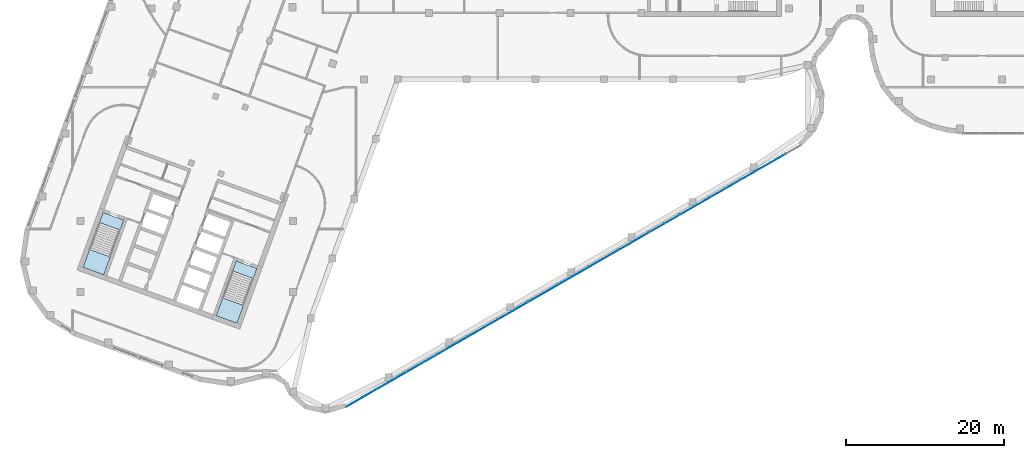
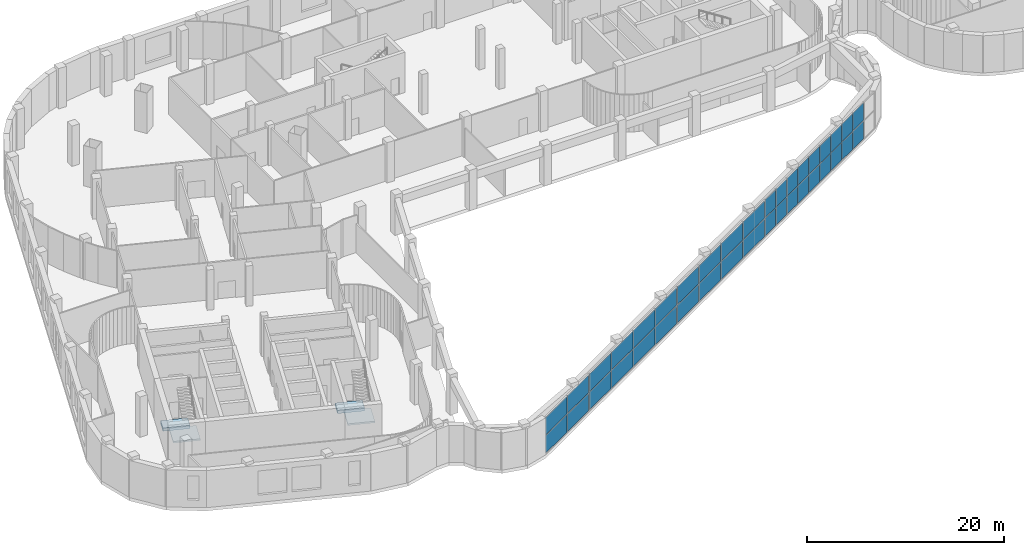
# One storey, part 7 of 25: 38 plates, 4 slabs, 7 elements without a shape of their own.
"""IFC4 building model written with IfcOpenShell, lengths in metres."""

import ifcopenshell
import ifcopenshell.guid

model = None  # the IFC model being written
_history = None  # IfcOwnerHistory: only IFC2X3 demands one
_inside = {}  # id of a spatial element -> (the spatial element, [elements in it])
_under = {}  # id of a project, library or spatial element -> (it, [spatial elements below it])
_declared = {}  # id of a project -> (the project, [libraries it declares])
_typed = {}  # id of a type object -> (the type object, [elements of that type])
_made_of = {}  # id of a material, layer set ... -> (it, [elements and type objects made of it])


def new_model(schema):
    """Start an empty IFC model of exactly this schema.

    Asked for "IFC4X3", IfcOpenShell would pick the latest addendum, in which some entities
    have other attributes; the version numbers below select the first issue.
    IFC2X3 requires an IfcOwnerHistory on every rooted entity: one is made here for all.
    """
    global model, _history
    if schema == "IFC4X3":
        model = ifcopenshell.file(schema_version=(4, 3, 0, 0))
    else:
        model = ifcopenshell.file(schema=schema)
    _inside.clear()
    _under.clear()
    _declared.clear()
    _typed.clear()
    _made_of.clear()
    _history = None
    if model.schema == "IFC2X3":
        org = make("IfcOrganization", Name="unknown")
        user = make(
            "IfcPersonAndOrganization",
            ThePerson=make("IfcPerson", FamilyName="unknown"),
            TheOrganization=org,
        )
        app = make(
            "IfcApplication",
            ApplicationDeveloper=org,
            Version="unknown",
            ApplicationFullName="unknown",
            ApplicationIdentifier="unknown",
        )
        _history = make(
            "IfcOwnerHistory",
            OwningUser=user,
            OwningApplication=app,
            ChangeAction="ADDED",
            CreationDate=0,
        )
    return model


def make(cls, **values):
    """One entity of the class cls with the attributes given. An attribute that is None is left unset."""
    return model.create_entity(
        cls, **{name: value for name, value in values.items() if value is not None}
    )


def rooted(cls, **values):
    """An entity with a GlobalId (a new one), such as an element, a storey or a relation."""
    return make(cls, GlobalId=ifcopenshell.guid.new(), OwnerHistory=_history, **values)


def si_unit(unit_type, name, prefix=None):
    """IfcSIUnit, for example si_unit("LENGTHUNIT", "METRE", prefix="MILLI")."""
    return make("IfcSIUnit", UnitType=unit_type, Prefix=prefix, Name=name)


def assignment(units):
    """IfcUnitAssignment: the units of a project."""
    return None if units is None else make("IfcUnitAssignment", Units=units)


def point(xyz):
    """IfcCartesianPoint."""
    return None if xyz is None else make("IfcCartesianPoint", Coordinates=xyz)


def direction(xyz):
    """IfcDirection."""
    return None if xyz is None else make("IfcDirection", DirectionRatios=xyz)


def frame(location, z_axis=None, x_axis=None):
    """IfcAxis2Placement3D, a coordinate frame: its origin and axes. An axis left out is left unset."""
    return make(
        "IfcAxis2Placement3D",
        Location=point(location),
        Axis=direction(z_axis),
        RefDirection=direction(x_axis),
    )


def frame_2d(location, x_axis=None):
    """IfcAxis2Placement2D, a coordinate frame in the plane: its origin and x axis."""
    return make(
        "IfcAxis2Placement2D", Location=point(location), RefDirection=direction(x_axis)
    )


def origin():
    """The frame at (0, 0, 0) with its axes left unset."""
    return frame((0.0, 0.0, 0.0))


def origin_2d():
    """The frame at (0, 0) in the plane with its x axis left unset."""
    return frame_2d((0.0, 0.0))


def place(relative_to, where):
    """IfcLocalPlacement: puts the frame where relative to a parent placement (None: the world)."""
    return make(
        "IfcLocalPlacement", PlacementRelTo=relative_to, RelativePlacement=where
    )


def context(
    kind, dimensions, precision=None, world=None, true_north=None, identifier=None
):
    """IfcGeometricRepresentationContext, for example the 3D "Model" context."""
    return make(
        "IfcGeometricRepresentationContext",
        ContextIdentifier=identifier,
        ContextType=kind,
        CoordinateSpaceDimension=dimensions,
        Precision=precision,
        WorldCoordinateSystem=world,
        TrueNorth=true_north,
    )


def subcontext(parent, identifier, kind, view, scale=None):
    """IfcGeometricRepresentationSubContext, for example "Body" below "Model"."""
    return make(
        "IfcGeometricRepresentationSubContext",
        ContextIdentifier=identifier,
        ContextType=kind,
        ParentContext=parent,
        TargetScale=scale,
        TargetView=view,
    )


def project(units=None, contexts=None):
    """IfcProject with its units and contexts."""
    return rooted(
        "IfcProject",
        Name="project",
        RepresentationContexts=contexts,
        UnitsInContext=assignment(units),
    )


def spatial(cls, under=None, at=None, **own):
    """A site, building, storey or space (cls), placed at a placement, below another one or the project."""
    s = rooted(cls, ObjectPlacement=at, **own)
    if under is not None:
        _under.setdefault(under.id(), (under, []))[1].append(s)
    return s


def polyline(points):
    """IfcPolyline through the points."""
    return make("IfcPolyline", Points=[point(p) for p in points])


def profile(cls, at=None, kind="AREA", **sizes):
    """A parametric profile (cls). Its sizes go by their IFC names, for example OverallWidth=200.0."""
    return make(cls, ProfileType=kind, Position=at, **sizes)


def rectangle(**sizes):
    """IfcRectangleProfileDef."""
    return profile("IfcRectangleProfileDef", **sizes)


def outline(outer, holes=None, kind="AREA"):
    """IfcArbitraryClosedProfileDef: a profile drawn as a closed curve; with holes, ...WithVoids."""
    if holes is None:
        return make("IfcArbitraryClosedProfileDef", ProfileType=kind, OuterCurve=outer)
    return make(
        "IfcArbitraryProfileDefWithVoids",
        ProfileType=kind,
        OuterCurve=outer,
        InnerCurves=holes,
    )


def extrude(swept, where, along, depth):
    """IfcExtrudedAreaSolid: the profile swept, set in the frame where, extruded along a direction by depth."""
    return make(
        "IfcExtrudedAreaSolid",
        SweptArea=swept,
        Position=where,
        ExtrudedDirection=direction(along),
        Depth=depth,
    )


def shape(context_of_items, identifier, shape_type, items):
    """IfcShapeRepresentation: the items that make up one representation, for example the "Body"."""
    return make(
        "IfcShapeRepresentation",
        ContextOfItems=context_of_items,
        RepresentationIdentifier=identifier,
        RepresentationType=shape_type,
        Items=items,
    )


def material(Name=None, Category=None):
    """IfcMaterial."""
    return make("IfcMaterial", Name=Name, Category=Category)


def layer(
    of_material, thickness, ventilated=None, Name=None, Category=None, Priority=None
):
    """IfcMaterialLayer: one layer of a wall or slab, of a material (None: an air gap)."""
    return make(
        "IfcMaterialLayer",
        Material=of_material,
        LayerThickness=thickness,
        IsVentilated=ventilated,
        Name=Name,
        Category=Category,
        Priority=Priority,
    )


def layer_set(layers, Name=None):
    """IfcMaterialLayerSet."""
    return make("IfcMaterialLayerSet", MaterialLayers=layers, LayerSetName=Name)


def made_of(thing, what):
    """Note that an element or type object is made of a material, layer set ...; save() writes the relation."""
    if what is not None:
        _made_of.setdefault(what.id(), (what, []))[1].append(thing)
    return thing


def type_object(cls, material=None, **own):
    """A type object (cls), such as IfcWallType, which elements share."""
    return made_of(rooted(cls, **own), material)


def element(
    cls,
    number,
    at=None,
    inside=None,
    cuts=None,
    type_object=None,
    material=None,
    context=None,
    identifier="Body",
    shape_type=None,
    held_by="IfcProductDefinitionShape",
    body=None,
    shapes=None,
    **own,
):
    """One element of the class cls, such as IfcWall. Its Tag is "e" and its number.

    at: its placement. inside: the storey or other place that contains it. cuts: it is an
    opening in that element (IfcRelVoidsElement). A single representation is given by context,
    identifier, shape_type and body (its items); several are given by shapes. held_by: the class
    of the entity that holds the representations. save() writes the other relations.
    """
    e = rooted(cls, Tag="e%d" % number, ObjectPlacement=at, **own)
    if body is not None:
        shapes = [shape(context, identifier, shape_type, body)]
    if shapes is not None:
        e.Representation = make(held_by, Representations=shapes)
    if inside is not None:
        _inside.setdefault(inside.id(), (inside, []))[1].append(e)
    if cuts is not None:
        rooted(
            "IfcRelVoidsElement", RelatingBuildingElement=cuts, RelatedOpeningElement=e
        )
    if type_object is not None:
        _typed.setdefault(type_object.id(), (type_object, []))[1].append(e)
    return made_of(e, material)


def aggregate(whole, parts):
    """IfcRelAggregates: a whole, such as a stair, and the parts it consists of."""
    return rooted("IfcRelAggregates", RelatingObject=whole, RelatedObjects=parts)


def save(model, path):
    """Write the relations noted so far, then the file.

    IfcRelAggregates (storeys below a building ...), IfcRelContainedInSpatialStructure (elements
    in a storey), IfcRelDefinesByType, IfcRelAssociatesMaterial and IfcRelDeclares: one each for
    every whole, place, type object, material and project.
    """
    for whole, parts in _under.values():
        aggregate(whole, parts)
    for where, things in _inside.values():
        rooted(
            "IfcRelContainedInSpatialStructure",
            RelatedElements=things,
            RelatingStructure=where,
        )
    for kind, things in _typed.values():
        rooted("IfcRelDefinesByType", RelatedObjects=things, RelatingType=kind)
    for what, things in _made_of.values():
        rooted("IfcRelAssociatesMaterial", RelatedObjects=things, RelatingMaterial=what)
    for by, libraries in _declared.values():
        rooted("IfcRelDeclares", RelatingContext=by, RelatedDefinitions=libraries)
    model.write(path)


model = new_model("IFC4")

# Units and contexts
model_context = context("Model", 3, precision=1e-05, world=origin(), true_north=direction((0.0, 1.0)))
body_context = subcontext(model_context, "Body", "Model", "MODEL_VIEW")
ifc_project = project(units=[si_unit("LENGTHUNIT", "METRE"), si_unit("AREAUNIT", "SQUARE_METRE"), si_unit("VOLUMEUNIT", "CUBIC_METRE"), si_unit("PLANEANGLEUNIT", "RADIAN"), si_unit("MASSUNIT", "GRAM", prefix="KILO")], contexts=[model_context])

# Site, building, storey
site_placement = place(None, origin())
site = spatial("IfcSite", under=ifc_project, at=site_placement, CompositionType="ELEMENT")
building_placement = place(site_placement, origin())
building = spatial("IfcBuilding", under=site, at=building_placement, Name="Skarvind Civic Tower", CompositionType="ELEMENT")
storey_placement = place(building_placement, frame((0.0, 0.0, 7.5)))
storey = spatial("IfcBuildingStorey", under=building, at=storey_placement, Name="L01", CompositionType="ELEMENT", Elevation=7.5)

# Curtain wall, plates
ifc_material_1 = material(Name="Aluminium alloy 6063 and laminated glass", Category="aluminium")
curtain_wall_type_1 = type_object("IfcCurtainWallType", Name="CW1 PUBLIC HALL GLAZING", PredefinedType="NOTDEFINED", material=ifc_material_1)
curtain_wall_1_placement = place(storey_placement, origin())
curtain_wall_1 = element("IfcCurtainWall", 1, at=curtain_wall_1_placement, inside=storey, type_object=curtain_wall_type_1, Name="PUBLIC SERVICE HALL GLAZING", PredefinedType="NOTDEFINED")
ifc_material_2 = material(Name="Laminated low-iron glass", Category="glass")
ifc_layer_1 = layer(ifc_material_2, 0.035888671875)
ifc_layer_set_1 = layer_set([ifc_layer_1], Name="CW1 GLASS PANEL 36")
plate_type_1 = type_object("IfcPlateType", Name="CW1 GLASS PANEL 36", PredefinedType="CURTAIN_PANEL", material=ifc_layer_set_1)
plate_1_placement = place(storey_placement, frame((89.30322265625, 88.466796875, 0.080078125), z_axis=(0.0, 0.0, 1.0), x_axis=(-0.866702488463, -0.498825416846, 0.0)))
plate_1 = element("IfcPlate", 2, at=plate_1_placement, type_object=plate_type_1, Name="CW1 panel 1.1", PredefinedType="CURTAIN_PANEL", context=body_context, shape_type="SweptSolid", body=[
    extrude(rectangle(XDim=4.32861328125, YDim=0.035888671875, at=origin_2d()), origin(), (0.0, 0.0, 1.0), 2.179931640625),
])
plate_2_placement = place(storey_placement, frame((89.30322265625, 88.466796875, 2.33984375), z_axis=(0.0, 0.0, 1.0), x_axis=(-0.866702488463, -0.498825416846, 0.0)))
plate_2 = element("IfcPlate", 3, at=plate_2_placement, type_object=plate_type_1, Name="CW1 panel 1.2", PredefinedType="CURTAIN_PANEL", context=body_context, shape_type="SweptSolid", body=[
    extrude(rectangle(XDim=4.32861328125, YDim=0.035888671875, at=origin_2d()), origin(), (0.0, 0.0, 1.0), 2.179931640625),
])
plate_3_placement = place(storey_placement, frame((85.46484375, 86.257568359375, 0.080078125), z_axis=(0.0, 0.0, 1.0), x_axis=(-0.866702488463, -0.498825416846, 0.0)))
plate_3 = element("IfcPlate", 4, at=plate_3_placement, type_object=plate_type_1, Name="CW1 panel 2.1", PredefinedType="CURTAIN_PANEL", context=body_context, shape_type="SweptSolid", body=[
    extrude(rectangle(XDim=4.36865234375, YDim=0.035888671875, at=origin_2d()), origin(), (0.0, 0.0, 1.0), 2.179931640625),
])
plate_4_placement = place(storey_placement, frame((85.46484375, 86.257568359375, 2.33984375), z_axis=(0.0, 0.0, 1.0), x_axis=(-0.866702488463, -0.498825416846, 0.0)))
plate_4 = element("IfcPlate", 5, at=plate_4_placement, type_object=plate_type_1, Name="CW1 panel 2.2", PredefinedType="CURTAIN_PANEL", context=body_context, shape_type="SweptSolid", body=[
    extrude(rectangle(XDim=4.36865234375, YDim=0.035888671875, at=origin_2d()), origin(), (0.0, 0.0, 1.0), 2.179931640625),
])
plate_5_placement = place(storey_placement, frame((81.609130859375, 84.03857421875, 0.080078125), z_axis=(0.0, 0.0, 1.0), x_axis=(-0.866702488463, -0.498825416846, 0.0)))
plate_5 = element("IfcPlate", 6, at=plate_5_placement, type_object=plate_type_1, Name="CW1 panel 3.1", PredefinedType="CURTAIN_PANEL", context=body_context, shape_type="SweptSolid", body=[
    extrude(rectangle(XDim=4.36865234375, YDim=0.035888671875, at=origin_2d()), origin(), (0.0, 0.0, 1.0), 2.179931640625),
])
plate_6_placement = place(storey_placement, frame((81.609130859375, 84.03857421875, 2.33984375), z_axis=(0.0, 0.0, 1.0), x_axis=(-0.866702488463, -0.498825416846, 0.0)))
plate_6 = element("IfcPlate", 7, at=plate_6_placement, type_object=plate_type_1, Name="CW1 panel 3.2", PredefinedType="CURTAIN_PANEL", context=body_context, shape_type="SweptSolid", body=[
    extrude(rectangle(XDim=4.36865234375, YDim=0.035888671875, at=origin_2d()), origin(), (0.0, 0.0, 1.0), 2.179931640625),
])
plate_7_placement = place(storey_placement, frame((77.770751953125, 81.829345703125, 0.080078125), z_axis=(0.0, 0.0, 1.0), x_axis=(-0.866702488463, -0.498825416846, 0.0)))
plate_7 = element("IfcPlate", 8, at=plate_7_placement, type_object=plate_type_1, Name="CW1 panel 4.1", PredefinedType="CURTAIN_PANEL", context=body_context, shape_type="SweptSolid", body=[
    extrude(rectangle(XDim=4.32861328125, YDim=0.035888671875, at=origin_2d()), origin(), (0.0, 0.0, 1.0), 2.179931640625),
])
plate_8_placement = place(storey_placement, frame((77.770751953125, 81.829345703125, 2.33984375), z_axis=(0.0, 0.0, 1.0), x_axis=(-0.866702488463, -0.498825416846, 0.0)))
plate_8 = element("IfcPlate", 9, at=plate_8_placement, type_object=plate_type_1, Name="CW1 panel 4.2", PredefinedType="CURTAIN_PANEL", context=body_context, shape_type="SweptSolid", body=[
    extrude(rectangle(XDim=4.32861328125, YDim=0.035888671875, at=origin_2d()), origin(), (0.0, 0.0, 1.0), 2.179931640625),
])
aggregate(curtain_wall_1, [plate_1, plate_2, plate_3, plate_4, plate_5, plate_6, plate_7, plate_8])

curtain_wall_2_placement = place(storey_placement, origin())
curtain_wall_2 = element("IfcCurtainWall", 10, at=curtain_wall_2_placement, inside=storey, type_object=curtain_wall_type_1, Name="PUBLIC SERVICE HALL GLAZING", PredefinedType="NOTDEFINED")
plate_9_placement = place(storey_placement, frame((73.88037109375, 79.59033203125, 0.080078125), z_axis=(0.0, 0.0, 1.0), x_axis=(-0.866702488463, -0.498825416846, 0.0)))
plate_9 = element("IfcPlate", 11, at=plate_9_placement, type_object=plate_type_1, Name="CW1 panel 1.1", PredefinedType="CURTAIN_PANEL", context=body_context, shape_type="SweptSolid", body=[
    extrude(rectangle(XDim=4.32861328125, YDim=0.035888671875, at=origin_2d()), origin(), (0.0, 0.0, 1.0), 2.179931640625),
])
plate_10_placement = place(storey_placement, frame((73.88037109375, 79.59033203125, 2.33984375), z_axis=(0.0, 0.0, 1.0), x_axis=(-0.866702488463, -0.498825416846, 0.0)))
plate_10 = element("IfcPlate", 12, at=plate_10_placement, type_object=plate_type_1, Name="CW1 panel 1.2", PredefinedType="CURTAIN_PANEL", context=body_context, shape_type="SweptSolid", body=[
    extrude(rectangle(XDim=4.32861328125, YDim=0.035888671875, at=origin_2d()), origin(), (0.0, 0.0, 1.0), 2.179931640625),
])
plate_11_placement = place(storey_placement, frame((70.0419921875, 77.381103515625, 0.080078125), z_axis=(0.0, 0.0, 1.0), x_axis=(-0.866702488463, -0.498825416846, 0.0)))
plate_11 = element("IfcPlate", 13, at=plate_11_placement, type_object=plate_type_1, Name="CW1 panel 2.1", PredefinedType="CURTAIN_PANEL", context=body_context, shape_type="SweptSolid", body=[
    extrude(rectangle(XDim=4.36865234375, YDim=0.035888671875, at=origin_2d()), origin(), (0.0, 0.0, 1.0), 2.179931640625),
])
plate_12_placement = place(storey_placement, frame((70.0419921875, 77.381103515625, 2.33984375), z_axis=(0.0, 0.0, 1.0), x_axis=(-0.866702488463, -0.498825416846, 0.0)))
plate_12 = element("IfcPlate", 14, at=plate_12_placement, type_object=plate_type_1, Name="CW1 panel 2.2", PredefinedType="CURTAIN_PANEL", context=body_context, shape_type="SweptSolid", body=[
    extrude(rectangle(XDim=4.36865234375, YDim=0.035888671875, at=origin_2d()), origin(), (0.0, 0.0, 1.0), 2.179931640625),
])
plate_13_placement = place(storey_placement, frame((66.186279296875, 75.162109375, 0.080078125), z_axis=(0.0, 0.0, 1.0), x_axis=(-0.866702488463, -0.498825416846, 0.0)))
plate_13 = element("IfcPlate", 15, at=plate_13_placement, type_object=plate_type_1, Name="CW1 panel 3.1", PredefinedType="CURTAIN_PANEL", context=body_context, shape_type="SweptSolid", body=[
    extrude(rectangle(XDim=4.36865234375, YDim=0.035888671875, at=origin_2d()), origin(), (0.0, 0.0, 1.0), 2.179931640625),
])
plate_14_placement = place(storey_placement, frame((66.186279296875, 75.162109375, 2.33984375), z_axis=(0.0, 0.0, 1.0), x_axis=(-0.866702488463, -0.498825416846, 0.0)))
plate_14 = element("IfcPlate", 16, at=plate_14_placement, type_object=plate_type_1, Name="CW1 panel 3.2", PredefinedType="CURTAIN_PANEL", context=body_context, shape_type="SweptSolid", body=[
    extrude(rectangle(XDim=4.36865234375, YDim=0.035888671875, at=origin_2d()), origin(), (0.0, 0.0, 1.0), 2.179931640625),
])
plate_15_placement = place(storey_placement, frame((62.347900390625, 72.952880859375, 0.080078125), z_axis=(0.0, 0.0, 1.0), x_axis=(-0.866702488463, -0.498825416846, 0.0)))
plate_15 = element("IfcPlate", 17, at=plate_15_placement, type_object=plate_type_1, Name="CW1 panel 4.1", PredefinedType="CURTAIN_PANEL", context=body_context, shape_type="SweptSolid", body=[
    extrude(rectangle(XDim=4.32861328125, YDim=0.035888671875, at=origin_2d()), origin(), (0.0, 0.0, 1.0), 2.179931640625),
])
plate_16_placement = place(storey_placement, frame((62.347900390625, 72.952880859375, 2.33984375), z_axis=(0.0, 0.0, 1.0), x_axis=(-0.866702488463, -0.498825416846, 0.0)))
plate_16 = element("IfcPlate", 18, at=plate_16_placement, type_object=plate_type_1, Name="CW1 panel 4.2", PredefinedType="CURTAIN_PANEL", context=body_context, shape_type="SweptSolid", body=[
    extrude(rectangle(XDim=4.32861328125, YDim=0.035888671875, at=origin_2d()), origin(), (0.0, 0.0, 1.0), 2.179931640625),
])
aggregate(curtain_wall_2, [plate_9, plate_10, plate_11, plate_12, plate_13, plate_14, plate_15, plate_16])

curtain_wall_3_placement = place(storey_placement, origin())
curtain_wall_3 = element("IfcCurtainWall", 19, at=curtain_wall_3_placement, inside=storey, type_object=curtain_wall_type_1, Name="PUBLIC SERVICE HALL GLAZING", PredefinedType="NOTDEFINED")
plate_17_placement = place(storey_placement, frame((58.45751953125, 70.7138671875, 0.080078125), z_axis=(0.0, 0.0, 1.0), x_axis=(-0.866700058916, -0.498829638128, 0.0)))
plate_17 = element("IfcPlate", 20, at=plate_17_placement, type_object=plate_type_1, Name="CW1 panel 1.1", PredefinedType="CURTAIN_PANEL", context=body_context, shape_type="SweptSolid", body=[
    extrude(rectangle(XDim=4.32861328125, YDim=0.035888671875, at=origin_2d()), origin(), (0.0, 0.0, 1.0), 2.179931640625),
])
plate_18_placement = place(storey_placement, frame((58.45751953125, 70.7138671875, 2.33984375), z_axis=(0.0, 0.0, 1.0), x_axis=(-0.866700058916, -0.498829638128, 0.0)))
plate_18 = element("IfcPlate", 21, at=plate_18_placement, type_object=plate_type_1, Name="CW1 panel 1.2", PredefinedType="CURTAIN_PANEL", context=body_context, shape_type="SweptSolid", body=[
    extrude(rectangle(XDim=4.32861328125, YDim=0.035888671875, at=origin_2d()), origin(), (0.0, 0.0, 1.0), 2.179931640625),
])
plate_19_placement = place(storey_placement, frame((54.636474609375, 68.5146484375, 0.080078125), z_axis=(0.0, 0.0, 1.0), x_axis=(-0.866700058916, -0.498829638128, 0.0)))
plate_19 = element("IfcPlate", 22, at=plate_19_placement, type_object=plate_type_1, Name="CW1 panel 2.1", PredefinedType="CURTAIN_PANEL", context=body_context, shape_type="SweptSolid", body=[
    extrude(rectangle(XDim=4.32861328125, YDim=0.035888671875, at=origin_2d()), origin(), (0.0, 0.0, 1.0), 2.179931640625),
])
plate_20_placement = place(storey_placement, frame((54.636474609375, 68.5146484375, 2.33984375), z_axis=(0.0, 0.0, 1.0), x_axis=(-0.866700058916, -0.498829638128, 0.0)))
plate_20 = element("IfcPlate", 23, at=plate_20_placement, type_object=plate_type_1, Name="CW1 panel 2.2", PredefinedType="CURTAIN_PANEL", context=body_context, shape_type="SweptSolid", body=[
    extrude(rectangle(XDim=4.32861328125, YDim=0.035888671875, at=origin_2d()), origin(), (0.0, 0.0, 1.0), 2.179931640625),
])
aggregate(curtain_wall_3, [plate_17, plate_18, plate_19, plate_20])

curtain_wall_type_2 = type_object("IfcCurtainWallType", Name="CW2 TOWER ENTRANCE LOBBY GLAZING", PredefinedType="NOTDEFINED", material=ifc_material_1)
curtain_wall_4_placement = place(storey_placement, origin())
curtain_wall_4 = element("IfcCurtainWall", 24, at=curtain_wall_4_placement, inside=storey, type_object=curtain_wall_type_2, Name="TOWER ENTRANCE LOBBY GLAZING", PredefinedType="NOTDEFINED")
ifc_layer_2 = layer(ifc_material_2, 0.031982421875)
ifc_layer_set_2 = layer_set([ifc_layer_2], Name="CW2 GLASS PANEL 32")
plate_type_2 = type_object("IfcPlateType", Name="CW2 GLASS PANEL 32", PredefinedType="CURTAIN_PANEL", material=ifc_layer_set_2)
plate_21_placement = place(storey_placement, frame((107.64013671875, 99.009033203125, 0.06982421875), z_axis=(0.0, 0.0, 1.0), x_axis=(-0.866702488463, -0.498825416846, 0.0)))
plate_21 = element("IfcPlate", 25, at=plate_21_placement, type_object=plate_type_2, Name="CW2 panel 2.1", PredefinedType="CURTAIN_PANEL", context=body_context, shape_type="SweptSolid", body=[
    extrude(rectangle(XDim=2.154296875, YDim=0.031982421875, at=origin_2d()), origin(), (0.0, 0.0, 1.0), 2.195068359375),
])
plate_22_placement = place(storey_placement, frame((107.64013671875, 99.009033203125, 2.3349609375), z_axis=(0.0, 0.0, 1.0), x_axis=(-0.866702488463, -0.498825416846, 0.0)))
plate_22 = element("IfcPlate", 26, at=plate_22_placement, type_object=plate_type_2, Name="CW2 panel 2.2", PredefinedType="CURTAIN_PANEL", context=body_context, shape_type="SweptSolid", body=[
    extrude(rectangle(XDim=2.154296875, YDim=0.031982421875, at=origin_2d()), origin(), (0.0, 0.0, 1.0), 2.195068359375),
])
plate_23_placement = place(storey_placement, frame((105.712158203125, 97.8994140625, 0.06982421875), z_axis=(0.0, 0.0, 1.0), x_axis=(-0.866702488463, -0.498825416846, 0.0)))
plate_23 = element("IfcPlate", 27, at=plate_23_placement, type_object=plate_type_2, Name="CW2 panel 3.1", PredefinedType="CURTAIN_PANEL", context=body_context, shape_type="SweptSolid", body=[
    extrude(rectangle(XDim=2.154296875, YDim=0.031982421875, at=origin_2d()), origin(), (0.0, 0.0, 1.0), 2.195068359375),
])
plate_24_placement = place(storey_placement, frame((105.712158203125, 97.8994140625, 2.3349609375), z_axis=(0.0, 0.0, 1.0), x_axis=(-0.866702488463, -0.498825416846, 0.0)))
plate_24 = element("IfcPlate", 28, at=plate_24_placement, type_object=plate_type_2, Name="CW2 panel 3.2", PredefinedType="CURTAIN_PANEL", context=body_context, shape_type="SweptSolid", body=[
    extrude(rectangle(XDim=2.154296875, YDim=0.031982421875, at=origin_2d()), origin(), (0.0, 0.0, 1.0), 2.195068359375),
])
plate_25_placement = place(storey_placement, frame((103.784423828125, 96.789794921875, 0.06982421875), z_axis=(0.0, 0.0, 1.0), x_axis=(-0.866702488463, -0.498825416846, 0.0)))
plate_25 = element("IfcPlate", 29, at=plate_25_placement, type_object=plate_type_2, Name="CW2 panel 4.1", PredefinedType="CURTAIN_PANEL", context=body_context, shape_type="SweptSolid", body=[
    extrude(rectangle(XDim=2.154296875, YDim=0.031982421875, at=origin_2d()), origin(), (0.0, 0.0, 1.0), 2.195068359375),
])
plate_26_placement = place(storey_placement, frame((103.784423828125, 96.789794921875, 2.3349609375), z_axis=(0.0, 0.0, 1.0), x_axis=(-0.866702488463, -0.498825416846, 0.0)))
plate_26 = element("IfcPlate", 30, at=plate_26_placement, type_object=plate_type_2, Name="CW2 panel 4.2", PredefinedType="CURTAIN_PANEL", context=body_context, shape_type="SweptSolid", body=[
    extrude(rectangle(XDim=2.154296875, YDim=0.031982421875, at=origin_2d()), origin(), (0.0, 0.0, 1.0), 2.195068359375),
])
plate_27_placement = place(storey_placement, frame((101.856689453125, 95.68017578125, 0.06982421875), z_axis=(0.0, 0.0, 1.0), x_axis=(-0.866702488463, -0.498825416846, 0.0)))
plate_27 = element("IfcPlate", 31, at=plate_27_placement, type_object=plate_type_2, Name="CW2 panel 5.1", PredefinedType="CURTAIN_PANEL", context=body_context, shape_type="SweptSolid", body=[
    extrude(rectangle(XDim=2.154296875, YDim=0.031982421875, at=origin_2d()), origin(), (0.0, 0.0, 1.0), 2.195068359375),
])
plate_28_placement = place(storey_placement, frame((101.856689453125, 95.68017578125, 2.3349609375), z_axis=(0.0, 0.0, 1.0), x_axis=(-0.866702488463, -0.498825416846, 0.0)))
plate_28 = element("IfcPlate", 32, at=plate_28_placement, type_object=plate_type_2, Name="CW2 panel 5.2", PredefinedType="CURTAIN_PANEL", context=body_context, shape_type="SweptSolid", body=[
    extrude(rectangle(XDim=2.154296875, YDim=0.031982421875, at=origin_2d()), origin(), (0.0, 0.0, 1.0), 2.195068359375),
])
plate_29_placement = place(storey_placement, frame((99.9287109375, 94.57080078125, 0.06982421875), z_axis=(0.0, 0.0, 1.0), x_axis=(-0.866702488463, -0.498825416846, 0.0)))
plate_29 = element("IfcPlate", 33, at=plate_29_placement, type_object=plate_type_2, Name="CW2 panel 6.1", PredefinedType="CURTAIN_PANEL", context=body_context, shape_type="SweptSolid", body=[
    extrude(rectangle(XDim=2.154296875, YDim=0.031982421875, at=origin_2d()), origin(), (0.0, 0.0, 1.0), 2.195068359375),
])
plate_30_placement = place(storey_placement, frame((99.9287109375, 94.57080078125, 2.3349609375), z_axis=(0.0, 0.0, 1.0), x_axis=(-0.866702488463, -0.498825416846, 0.0)))
plate_30 = element("IfcPlate", 34, at=plate_30_placement, type_object=plate_type_2, Name="CW2 panel 6.2", PredefinedType="CURTAIN_PANEL", context=body_context, shape_type="SweptSolid", body=[
    extrude(rectangle(XDim=2.154296875, YDim=0.031982421875, at=origin_2d()), origin(), (0.0, 0.0, 1.0), 2.195068359375),
])
plate_31_placement = place(storey_placement, frame((98.0009765625, 93.461181640625, 0.06982421875), z_axis=(0.0, 0.0, 1.0), x_axis=(-0.866702488463, -0.498825416846, 0.0)))
plate_31 = element("IfcPlate", 35, at=plate_31_placement, type_object=plate_type_2, Name="CW2 panel 7.1", PredefinedType="CURTAIN_PANEL", context=body_context, shape_type="SweptSolid", body=[
    extrude(rectangle(XDim=2.154296875, YDim=0.031982421875, at=origin_2d()), origin(), (0.0, 0.0, 1.0), 2.195068359375),
])
plate_32_placement = place(storey_placement, frame((98.0009765625, 93.461181640625, 2.3349609375), z_axis=(0.0, 0.0, 1.0), x_axis=(-0.866702488463, -0.498825416846, 0.0)))
plate_32 = element("IfcPlate", 36, at=plate_32_placement, type_object=plate_type_2, Name="CW2 panel 7.2", PredefinedType="CURTAIN_PANEL", context=body_context, shape_type="SweptSolid", body=[
    extrude(rectangle(XDim=2.154296875, YDim=0.031982421875, at=origin_2d()), origin(), (0.0, 0.0, 1.0), 2.195068359375),
])
plate_33_placement = place(storey_placement, frame((96.088134765625, 92.3603515625, 0.06982421875), z_axis=(0.0, 0.0, 1.0), x_axis=(-0.866702488463, -0.498825416846, 0.0)))
plate_33 = element("IfcPlate", 37, at=plate_33_placement, type_object=plate_type_2, Name="CW2 panel 8.1", PredefinedType="CURTAIN_PANEL", context=body_context, shape_type="SweptSolid", body=[
    extrude(rectangle(XDim=2.119384765625, YDim=0.031982421875, at=origin_2d()), origin(), (0.0, 0.0, 1.0), 2.195068359375),
])
plate_34_placement = place(storey_placement, frame((96.088134765625, 92.3603515625, 2.3349609375), z_axis=(0.0, 0.0, 1.0), x_axis=(-0.866702488463, -0.498825416846, 0.0)))
plate_34 = element("IfcPlate", 38, at=plate_34_placement, type_object=plate_type_2, Name="CW2 panel 8.2", PredefinedType="CURTAIN_PANEL", context=body_context, shape_type="SweptSolid", body=[
    extrude(rectangle(XDim=2.119384765625, YDim=0.031982421875, at=origin_2d()), origin(), (0.0, 0.0, 1.0), 2.195068359375),
])
aggregate(curtain_wall_4, [plate_21, plate_22, plate_23, plate_24, plate_25, plate_26, plate_27, plate_28, plate_29, plate_30, plate_31, plate_32, plate_33, plate_34])

curtain_wall_5_placement = place(storey_placement, origin())
curtain_wall_5 = element("IfcCurtainWall", 39, at=curtain_wall_5_placement, inside=storey, type_object=curtain_wall_type_2, Name="TOWER ENTRANCE LOBBY GLAZING", PredefinedType="NOTDEFINED")
plate_35_placement = place(storey_placement, frame((94.130126953125, 91.233154296875, 0.06982421875), z_axis=(0.0, 0.0, 1.0), x_axis=(-0.866695199794, -0.498838080597, 0.0)))
plate_35 = element("IfcPlate", 40, at=plate_35_placement, type_object=plate_type_2, Name="CW2 panel 1.1", PredefinedType="CURTAIN_PANEL", context=body_context, shape_type="SweptSolid", body=[
    extrude(rectangle(XDim=2.119384765625, YDim=0.031982421875, at=origin_2d()), origin(), (0.0, 0.0, 1.0), 2.195068359375),
])
plate_36_placement = place(storey_placement, frame((94.130126953125, 91.233154296875, 2.3349609375), z_axis=(0.0, 0.0, 1.0), x_axis=(-0.866695199794, -0.498838080597, 0.0)))
plate_36 = element("IfcPlate", 41, at=plate_36_placement, type_object=plate_type_2, Name="CW2 panel 1.2", PredefinedType="CURTAIN_PANEL", context=body_context, shape_type="SweptSolid", body=[
    extrude(rectangle(XDim=2.119384765625, YDim=0.031982421875, at=origin_2d()), origin(), (0.0, 0.0, 1.0), 2.195068359375),
])
plate_37_placement = place(storey_placement, frame((92.232421875, 90.14111328125, 0.06982421875), z_axis=(0.0, 0.0, 1.0), x_axis=(-0.866695199794, -0.498838080597, 0.0)))
plate_37 = element("IfcPlate", 42, at=plate_37_placement, type_object=plate_type_2, Name="CW2 panel 2.1", PredefinedType="CURTAIN_PANEL", context=body_context, shape_type="SweptSolid", body=[
    extrude(rectangle(XDim=2.119384765625, YDim=0.031982421875, at=origin_2d()), origin(), (0.0, 0.0, 1.0), 2.195068359375),
])
plate_38_placement = place(storey_placement, frame((92.232421875, 90.14111328125, 2.3349609375), z_axis=(0.0, 0.0, 1.0), x_axis=(-0.866695199794, -0.498838080597, 0.0)))
plate_38 = element("IfcPlate", 43, at=plate_38_placement, type_object=plate_type_2, Name="CW2 panel 2.2", PredefinedType="CURTAIN_PANEL", context=body_context, shape_type="SweptSolid", body=[
    extrude(rectangle(XDim=2.119384765625, YDim=0.031982421875, at=origin_2d()), origin(), (0.0, 0.0, 1.0), 2.195068359375),
])
aggregate(curtain_wall_5, [plate_35, plate_36, plate_37, plate_38])

# Slabs
ifc_material_3 = material(Name="Concrete C40/50", Category="concrete")
ifc_layer_3 = layer(ifc_material_3, 0.39990234375)
ifc_layer_set_3 = layer_set([ifc_layer_3], Name="Stair floor landing slab 400")
slab_type_1 = type_object("IfcSlabType", Name="Stair floor landing slab 400", PredefinedType="LANDING", material=ifc_layer_set_3)
slab_1_placement = place(storey_placement, frame((0.0, 0.0, -0.39990234375)))
element("IfcSlab", 44, at=slab_1_placement, inside=storey, type_object=slab_type_1, Name="Stair floor landing", PredefinedType="LANDING", context=body_context, shape_type="SweptSolid", body=[
    extrude(outline(polyline([(40.946533203125, 83.70654296875), (38.314208984375, 84.66455078125), (38.7763671875, 85.934326171875), (41.40869140625, 84.976318359375), (40.946533203125, 83.70654296875)])), origin(), (0.0, 0.0, 1.0), 0.39990234375),
])
slab_2_placement = place(storey_placement, frame((0.0, 0.0, -0.39990234375)))
element("IfcSlab", 45, at=slab_2_placement, inside=storey, type_object=slab_type_1, Name="Stair floor landing", PredefinedType="LANDING", context=body_context, shape_type="SweptSolid", body=[
    extrude(outline(polyline([(24.0322265625, 89.863037109375), (21.39990234375, 90.821044921875), (21.862060546875, 92.090576171875), (24.494384765625, 91.132568359375), (24.0322265625, 89.863037109375)])), origin(), (0.0, 0.0, 1.0), 0.39990234375),
])

# Stair, slab
stair_type = type_object("IfcStairType", Name="Exit stair, half-turn, concrete", PredefinedType="HALF_TURN_STAIR", material=ifc_material_3)
stair_1_placement = place(storey_placement, origin())
stair_1 = element("IfcStair", 46, at=stair_1_placement, inside=storey, type_object=stair_type, Name="Exit stair C2S", PredefinedType="HALF_TURN_STAIR")
ifc_layer_4 = layer(ifc_material_3, 0.199951171875)
ifc_layer_set_4 = layer_set([ifc_layer_4], Name="Stair half landing slab")
slab_type_2 = type_object("IfcSlabType", Name="Stair half landing slab", PredefinedType="LANDING", material=ifc_layer_set_4)
slab_3_placement = place(storey_placement, frame((0.0, 0.0, 2.300048828125)))
slab_3 = element("IfcSlab", 47, at=slab_3_placement, type_object=slab_type_2, Name="ST-C2S landing 1", PredefinedType="LANDING", context=body_context, shape_type="SweptSolid", body=[
    extrude(outline(polyline([(37.06982421875, 81.245361328125), (39.7021484375, 80.287109375), (38.87744140625, 78.021484375), (36.2451171875, 78.9794921875), (37.06982421875, 81.245361328125)])), origin(), (0.0, 0.0, 1.0), 0.199951171875),
])
aggregate(stair_1, [slab_3])

stair_2_placement = place(storey_placement, origin())
stair_2 = element("IfcStair", 48, at=stair_2_placement, inside=storey, type_object=stair_type, Name="Exit stair C2N", PredefinedType="HALF_TURN_STAIR")
slab_4_placement = place(storey_placement, frame((0.0, 0.0, 2.300048828125)))
slab_4 = element("IfcSlab", 49, at=slab_4_placement, type_object=slab_type_2, Name="ST-C2N landing 1", PredefinedType="LANDING", context=body_context, shape_type="SweptSolid", body=[
    extrude(outline(polyline([(20.1552734375, 87.401611328125), (22.78759765625, 86.443603515625), (21.962890625, 84.177734375), (19.33056640625, 85.1357421875), (20.1552734375, 87.401611328125)])), origin(), (0.0, 0.0, 1.0), 0.199951171875),
])
aggregate(stair_2, [slab_4])

save(model, "model.ifc")
